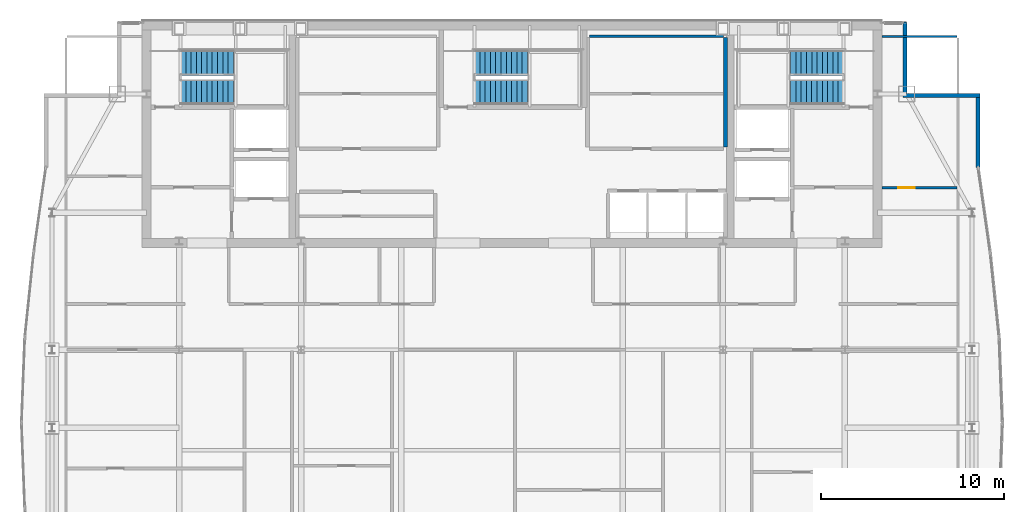
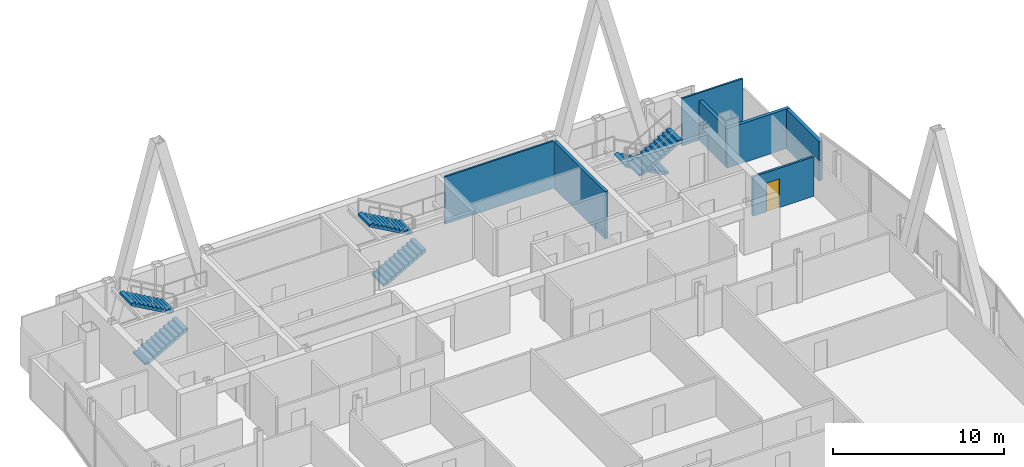
# One storey, part 27 of 29: 7 walls, 6 stair flights, 1 door, 1 opening, 3 elements without a shape of their own.
"""IFC4 building model written with IfcOpenShell, lengths in metres."""

from ifc_helpers import new_model, si_unit, direction, frame, frame_2d, origin, place, context, subcontext, project, spatial, polyline, rectangle, outline, extrude, material, layer, layer_set, type_object, element, fill, aggregate, save


model = new_model("IFC4")

# Units and contexts
model_context = context("Model", 3, precision=1e-05, world=origin(), true_north=direction((0.0, 1.0)))
body_context = subcontext(model_context, "Body", "Model", "MODEL_VIEW")
ifc_project = project(units=[si_unit("LENGTHUNIT", "METRE"), si_unit("AREAUNIT", "SQUARE_METRE"), si_unit("VOLUMEUNIT", "CUBIC_METRE"), si_unit("PLANEANGLEUNIT", "RADIAN"), si_unit("MASSUNIT", "GRAM", prefix="KILO")], contexts=[model_context])

# Site, building, storey
site_placement = place(None, origin())
site = spatial("IfcSite", under=ifc_project, at=site_placement, CompositionType="ELEMENT")
building_placement = place(site_placement, origin())
building = spatial("IfcBuilding", under=site, at=building_placement, Name="Khoronbel Lancet Exchange", CompositionType="ELEMENT")
storey_placement = place(building_placement, frame((0.0, 0.0, 302.199951171875)))
storey = spatial("IfcBuildingStorey", under=building, at=storey_placement, Name="L78", CompositionType="ELEMENT", Elevation=302.199951171875)

# Walls
ifc_material_1 = material(Name="Precast concrete C40/50", Category="concrete")
ifc_layer_1 = layer(ifc_material_1, 0.25, Name="Precast concrete C40/50")
ifc_layer_set_1 = layer_set([ifc_layer_1], Name="Precast concrete C40/50")
wall_type_1 = type_object("IfcWallType", Name="WL-EXT250", PredefinedType="SOLIDWALL", material=ifc_layer_set_1)
wall_1_placement = place(storey_placement, frame((57.9599609375, 53.6298828125, 0.0), z_axis=(0.0, 0.0, 1.0), x_axis=(0.0, -1.0, 0.0)))
element("IfcWall", 1, at=wall_1_placement, inside=storey, type_object=wall_type_1, Name="Level L78 notched-corner limestone pier 14", PredefinedType="SOLIDWALL", context=body_context, shape_type="SweptSolid", body=[
    extrude(rectangle(XDim=3.909912109375, YDim=0.219970703125, at=frame_2d((1.955078125, 0.0))), origin(), (0.0, 0.0, 1.0), 2.820068359375),
])
wall_2_placement = place(storey_placement, frame((57.85009765625, 49.610107421875, 0.0), z_axis=(0.0, 0.0, 1.0), x_axis=(1.0, 0.0, 0.0)))
element("IfcWall", 2, at=wall_2_placement, inside=storey, type_object=wall_type_1, Name="Level L78 notched-corner limestone pier 15", PredefinedType="SOLIDWALL", context=body_context, shape_type="SweptSolid", body=[
    extrude(rectangle(XDim=4.219970703125, YDim=0.219970703125, at=frame_2d((2.10986328125, 0.0))), origin(), (0.0, 0.0, 1.0), 2.820068359375),
])
wall_3_placement = place(storey_placement, frame((61.9599609375, 49.5, 0.0), z_axis=(0.0, 0.0, 1.0), x_axis=(0.0, -1.0, 0.0)))
element("IfcWall", 3, at=wall_3_placement, inside=storey, type_object=wall_type_1, Name="Level L78 notched-corner limestone pier 16", PredefinedType="SOLIDWALL", context=body_context, shape_type="SweptSolid", body=[
    extrude(rectangle(XDim=3.826416015625, YDim=0.219970703125, at=frame_2d((1.9130859375, 0.0))), origin(), (0.0, 0.0, 1.0), 2.820068359375),
])

# Wall, opening, door
ifc_material_2 = material(Name="Acoustic Metal-Stud & Mineral-Wool Gypsum Partition 120 mm", Category="gypsum")
ifc_layer_2 = layer(ifc_material_2, 0.1201171875, Name="Acoustic Metal-Stud & Mineral-Wool Gypsum Partition 120 mm")
ifc_layer_set_2 = layer_set([ifc_layer_2], Name="Acoustic Metal-Stud & Mineral-Wool Gypsum Partition 120 mm")
wall_type_2 = type_object("IfcWallType", Name="WL-PRT120", PredefinedType="PARTITIONING", material=ifc_layer_set_2)
wall_4_placement = place(storey_placement, frame((56.699951171875, 44.56005859375, 0.0), z_axis=(0.0, 0.0, 1.0), x_axis=(1.0, 0.0, 0.0)))
wall_4 = element("IfcWall", 4, at=wall_4_placement, inside=storey, type_object=wall_type_2, Name="Level L78 interior partition PW-NE-H", PredefinedType="PARTITIONING", context=body_context, shape_type="SweptSolid", body=[
    extrude(rectangle(XDim=4.10498046875, YDim=0.14990234375, at=frame_2d((2.052490234375, 0.0))), origin(), (0.0, 0.0, 1.0), 2.820068359375),
])
opening_placement = place(wall_4_placement, frame((0.89990234375, 0.0, 0.0)))
opening = element("IfcOpeningElement", 5, at=opening_placement, cuts=wall_4, Name="Opening D5", PredefinedType="OPENING", context=body_context, shape_type="SweptSolid", body=[
    extrude(rectangle(XDim=0.89990234375, YDim=2.050048828125, at=frame_2d((0.449951171875, 1.02490234375))), frame((0.0, 0.0849609375, 0.0), z_axis=(0.0, -1.0, 0.0), x_axis=(1.0, 0.0, 0.0)), (0.0, 0.0, 1.0), 0.169921875),
])
ifc_material_3 = material(Name="Acoustic Timber Pantry & Support Door", Category="wood")
door_type = type_object("IfcDoorType", Name="DR-D5", OperationType="NOTDEFINED", PredefinedType="DOOR", material=ifc_material_3)
door_placement = place(opening_placement, origin())
door = element("IfcDoor", 6, at=door_placement, inside=storey, type_object=door_type, Name="NE north room door L78-1", OperationType="SINGLE_SWING_RIGHT", OverallHeight=2.050048828125, OverallWidth=0.89990234375, PredefinedType="DOOR", context=body_context, shape_type="SweptSolid", body=[
    extrude(rectangle(XDim=0.89990234375, YDim=2.050048828125, at=frame_2d((0.449951171875, 1.02490234375))), frame((0.0, 0.02490234375, 0.0), z_axis=(0.0, -1.0, 0.0), x_axis=(1.0, 0.0, 0.0)), (0.0, 0.0, 1.0), 0.050048828125),
])
fill(opening, door)

# Walls
wall_5_placement = place(storey_placement, frame((56.699951171875, 52.840087890625, 0.0), z_axis=(0.0, 0.0, 1.0), x_axis=(1.0, 0.0, 0.0)))
element("IfcWall", 7, at=wall_5_placement, inside=storey, type_object=wall_type_2, Name="Level L78 interior partition PW-LIN-NE", PredefinedType="PARTITIONING", context=body_context, shape_type="SweptSolid", body=[
    extrude(rectangle(XDim=4.10498046875, YDim=0.1201171875, at=frame_2d((2.052490234375, 0.0))), origin(), (0.0, 0.0, 1.0), 3.380126953125),
])
ifc_material_4 = material(Name="Fire-Rated Metal-Stud & Mineral-Wool Gypsum Partition 120 mm", Category="gypsum")
ifc_layer_3 = layer(ifc_material_4, 0.1201171875, Name="Fire-Rated Metal-Stud & Mineral-Wool Gypsum Partition 120 mm")
ifc_layer_set_3 = layer_set([ifc_layer_3], Name="Fire-Rated Metal-Stud & Mineral-Wool Gypsum Partition 120 mm")
wall_type_3 = type_object("IfcWallType", Name="WL-PRT120F", PredefinedType="PARTITIONING", material=ifc_layer_set_3)
wall_6_placement = place(storey_placement, frame((40.68505859375, 52.860107421875, 0.0), z_axis=(0.0, 0.0, 1.0), x_axis=(1.0, 0.0, 0.0)))
element("IfcWall", 8, at=wall_6_placement, inside=storey, type_object=wall_type_3, Name="Level L78 interior partition CW-PH-RN", PredefinedType="PARTITIONING", context=body_context, shape_type="SweptSolid", body=[
    extrude(rectangle(XDim=7.349853515625, YDim=0.1201171875, at=frame_2d((3.6748046875, 0.0))), origin(), (0.0, 0.0, 1.0), 3.380126953125),
])
ifc_material_5 = material(Name="Autoclaved Aerated Concrete Blockwork 200 mm", Category="masonry")
ifc_layer_4 = layer(ifc_material_5, 0.199951171875, Name="Autoclaved Aerated Concrete Blockwork 200 mm")
ifc_layer_set_4 = layer_set([ifc_layer_4], Name="Autoclaved Aerated Concrete Blockwork 200 mm")
wall_type_4 = type_object("IfcWallType", Name="WL-PRT200", PredefinedType="PARTITIONING", material=ifc_layer_set_4)
wall_7_placement = place(storey_placement, frame((48.139892578125, 46.804931640625, 0.0), z_axis=(0.0, 0.0, 1.0), x_axis=(0.0, 1.0, 0.0)))
element("IfcWall", 9, at=wall_7_placement, inside=storey, type_object=wall_type_4, Name="Level L78 interior partition CW-PH-RE", PredefinedType="PARTITIONING", context=body_context, shape_type="SweptSolid", body=[
    extrude(rectangle(XDim=5.989990234375, YDim=0.199951171875, at=frame_2d((2.9951171875, 0.0))), origin(), (0.0, 0.0, 1.0), 3.380126953125),
])

# Stair, stair flights
ifc_material_6 = material(Name="Concrete C40/50", Category="concrete")
stair_type = type_object("IfcStairType", Name="STR-CORE150", PredefinedType="HALF_TURN_STAIR", material=ifc_material_6)
stair_1_placement = place(storey_placement, origin())
stair_1 = element("IfcStair", 10, at=stair_1_placement, inside=storey, type_object=stair_type, Name="L78 Protected Exit Stair ST1", PredefinedType="HALF_TURN_STAIR")
stair_flight_type = type_object("IfcStairFlightType", Name="STF-150", PredefinedType="STRAIGHT", material=ifc_material_6)
stair_flight_1_placement = place(storey_placement, frame((18.300048828125, 49.81005859375, 0.0), z_axis=(0.0, 0.0, 1.0), x_axis=(1.0, 0.0, 0.0)))
stair_flight_1 = element("IfcStairFlight", 11, at=stair_flight_1_placement, type_object=stair_flight_type, Name="ST1 flight 1", NumberOfRisers=11, NumberOfTreads=10, PredefinedType="STRAIGHT", RiserHeight=0.163636364, TreadLength=0.29, context=body_context, shape_type="SweptSolid", body=[
    extrude(outline(polyline([(0.0, 0.0), (0.0, 0.16357421875), (0.2900390625, 0.16357421875), (0.2900390625, 0.327392578125), (0.580078125, 0.327392578125), (0.580078125, 0.490966796875), (0.8701171875, 0.490966796875), (0.8701171875, 0.654541015625), (1.159912109375, 0.654541015625), (1.159912109375, 0.818115234375), (1.449951171875, 0.818115234375), (1.449951171875, 0.98193359375), (1.739990234375, 0.98193359375), (1.739990234375, 1.1455078125), (2.030029296875, 1.1455078125), (2.030029296875, 1.30908203125), (2.320068359375, 1.30908203125), (2.320068359375, 1.47265625), (2.610107421875, 1.47265625), (2.610107421875, 1.636474609375), (2.89990234375, 1.636474609375), (2.89990234375, 1.800048828125), (2.89990234375, 1.46435546875), (0.304931640625, 0.0), (0.0, 0.0)])), frame((0.0, 0.68994140625, 0.0), z_axis=(0.0, -1.0, 0.0), x_axis=(1.0, 0.0, 0.0)), (0.0, 0.0, 1.0), 1.3798828125),
])
stair_flight_2_placement = place(storey_placement, frame((21.199951171875, 51.409912109375, 1.800048828125), z_axis=(0.0, 0.0, 1.0), x_axis=(-1.0, 0.0, 0.0)))
stair_flight_2 = element("IfcStairFlight", 12, at=stair_flight_2_placement, type_object=stair_flight_type, Name="ST1 flight 2", NumberOfRisers=11, NumberOfTreads=10, PredefinedType="STRAIGHT", RiserHeight=0.163636364, TreadLength=0.29, context=body_context, shape_type="SweptSolid", body=[
    extrude(outline(polyline([(0.0, 0.0), (0.0, 0.16357421875), (0.2900390625, 0.16357421875), (0.2900390625, 0.327392578125), (0.580078125, 0.327392578125), (0.580078125, 0.490966796875), (0.8701171875, 0.490966796875), (0.8701171875, 0.654541015625), (1.159912109375, 0.654541015625), (1.159912109375, 0.818115234375), (1.449951171875, 0.818115234375), (1.449951171875, 0.98193359375), (1.739990234375, 0.98193359375), (1.739990234375, 1.1455078125), (2.030029296875, 1.1455078125), (2.030029296875, 1.30908203125), (2.320068359375, 1.30908203125), (2.320068359375, 1.47265625), (2.610107421875, 1.47265625), (2.610107421875, 1.636474609375), (2.89990234375, 1.636474609375), (2.89990234375, 1.800048828125), (2.89990234375, 1.46435546875), (0.304931640625, 0.0), (0.0, 0.0)])), frame((0.0, 0.68994140625, 0.0), z_axis=(0.0, -1.0, 0.0), x_axis=(1.0, 0.0, 0.0)), (0.0, 0.0, 1.0), 1.3798828125),
])
aggregate(stair_1, [stair_flight_1, stair_flight_2])

stair_2_placement = place(storey_placement, origin())
stair_2 = element("IfcStair", 13, at=stair_2_placement, inside=storey, type_object=stair_type, Name="L78 Protected Exit Stair ST2", PredefinedType="HALF_TURN_STAIR")
stair_flight_3_placement = place(storey_placement, frame((54.60009765625, 51.409912109375, 0.0), z_axis=(0.0, 0.0, 1.0), x_axis=(-1.0, 0.0, 0.0)))
stair_flight_3 = element("IfcStairFlight", 14, at=stair_flight_3_placement, type_object=stair_flight_type, Name="ST2 flight 1", NumberOfRisers=11, NumberOfTreads=10, PredefinedType="STRAIGHT", RiserHeight=0.163636364, TreadLength=0.29, context=body_context, shape_type="SweptSolid", body=[
    extrude(outline(polyline([(0.0, 0.0), (0.0, 0.16357421875), (0.2900390625, 0.16357421875), (0.2900390625, 0.327392578125), (0.580078125, 0.327392578125), (0.580078125, 0.490966796875), (0.8701171875, 0.490966796875), (0.8701171875, 0.654541015625), (1.159912109375, 0.654541015625), (1.159912109375, 0.818115234375), (1.449951171875, 0.818115234375), (1.449951171875, 0.98193359375), (1.739990234375, 0.98193359375), (1.739990234375, 1.1455078125), (2.030029296875, 1.1455078125), (2.030029296875, 1.30908203125), (2.320068359375, 1.30908203125), (2.320068359375, 1.47265625), (2.610107421875, 1.47265625), (2.610107421875, 1.636474609375), (2.89990234375, 1.636474609375), (2.89990234375, 1.800048828125), (2.89990234375, 1.46435546875), (0.304931640625, 0.0), (0.0, 0.0)])), frame((0.0, 0.68994140625, 0.0), z_axis=(0.0, -1.0, 0.0), x_axis=(1.0, 0.0, 0.0)), (0.0, 0.0, 1.0), 1.3798828125),
])
stair_flight_4_placement = place(storey_placement, frame((51.699951171875, 49.81005859375, 1.800048828125), z_axis=(0.0, 0.0, 1.0), x_axis=(1.0, 0.0, 0.0)))
stair_flight_4 = element("IfcStairFlight", 15, at=stair_flight_4_placement, type_object=stair_flight_type, Name="ST2 flight 2", NumberOfRisers=11, NumberOfTreads=10, PredefinedType="STRAIGHT", RiserHeight=0.163636364, TreadLength=0.29, context=body_context, shape_type="SweptSolid", body=[
    extrude(outline(polyline([(0.0, 0.0), (0.0, 0.16357421875), (0.2900390625, 0.16357421875), (0.2900390625, 0.327392578125), (0.580078125, 0.327392578125), (0.580078125, 0.490966796875), (0.8701171875, 0.490966796875), (0.8701171875, 0.654541015625), (1.159912109375, 0.654541015625), (1.159912109375, 0.818115234375), (1.449951171875, 0.818115234375), (1.449951171875, 0.98193359375), (1.739990234375, 0.98193359375), (1.739990234375, 1.1455078125), (2.030029296875, 1.1455078125), (2.030029296875, 1.30908203125), (2.320068359375, 1.30908203125), (2.320068359375, 1.47265625), (2.610107421875, 1.47265625), (2.610107421875, 1.636474609375), (2.89990234375, 1.636474609375), (2.89990234375, 1.800048828125), (2.89990234375, 1.46435546875), (0.304931640625, 0.0), (0.0, 0.0)])), frame((0.0, 0.68994140625, 0.0), z_axis=(0.0, -1.0, 0.0), x_axis=(1.0, 0.0, 0.0)), (0.0, 0.0, 1.0), 1.3798828125),
])
aggregate(stair_2, [stair_flight_3, stair_flight_4])

stair_3_placement = place(storey_placement, origin())
stair_3 = element("IfcStair", 16, at=stair_3_placement, inside=storey, type_object=stair_type, Name="L78 Protected Exit Stair ST3", PredefinedType="HALF_TURN_STAIR")
stair_flight_5_placement = place(storey_placement, frame((34.39990234375, 49.81005859375, 0.0), z_axis=(0.0, 0.0, 1.0), x_axis=(1.0, 0.0, 0.0)))
stair_flight_5 = element("IfcStairFlight", 17, at=stair_flight_5_placement, type_object=stair_flight_type, Name="ST3 flight 1", NumberOfRisers=11, NumberOfTreads=10, PredefinedType="STRAIGHT", RiserHeight=0.163636364, TreadLength=0.29, context=body_context, shape_type="SweptSolid", body=[
    extrude(outline(polyline([(0.0, 0.0), (0.0, 0.16357421875), (0.2900390625, 0.16357421875), (0.2900390625, 0.327392578125), (0.580078125, 0.327392578125), (0.580078125, 0.490966796875), (0.8701171875, 0.490966796875), (0.8701171875, 0.654541015625), (1.159912109375, 0.654541015625), (1.159912109375, 0.818115234375), (1.449951171875, 0.818115234375), (1.449951171875, 0.98193359375), (1.739990234375, 0.98193359375), (1.739990234375, 1.1455078125), (2.030029296875, 1.1455078125), (2.030029296875, 1.30908203125), (2.320068359375, 1.30908203125), (2.320068359375, 1.47265625), (2.610107421875, 1.47265625), (2.610107421875, 1.636474609375), (2.89990234375, 1.636474609375), (2.89990234375, 1.800048828125), (2.89990234375, 1.46435546875), (0.304931640625, 0.0), (0.0, 0.0)])), frame((0.0, 0.68994140625, 0.0), z_axis=(0.0, -1.0, 0.0), x_axis=(1.0, 0.0, 0.0)), (0.0, 0.0, 1.0), 1.3798828125),
])
stair_flight_6_placement = place(storey_placement, frame((37.300048828125, 51.409912109375, 1.800048828125), z_axis=(0.0, 0.0, 1.0), x_axis=(-1.0, 0.0, 0.0)))
stair_flight_6 = element("IfcStairFlight", 18, at=stair_flight_6_placement, type_object=stair_flight_type, Name="ST3 flight 2", NumberOfRisers=11, NumberOfTreads=10, PredefinedType="STRAIGHT", RiserHeight=0.163636364, TreadLength=0.29, context=body_context, shape_type="SweptSolid", body=[
    extrude(outline(polyline([(0.0, 0.0), (0.0, 0.16357421875), (0.2900390625, 0.16357421875), (0.2900390625, 0.327392578125), (0.580078125, 0.327392578125), (0.580078125, 0.490966796875), (0.8701171875, 0.490966796875), (0.8701171875, 0.654541015625), (1.159912109375, 0.654541015625), (1.159912109375, 0.818115234375), (1.449951171875, 0.818115234375), (1.449951171875, 0.98193359375), (1.739990234375, 0.98193359375), (1.739990234375, 1.1455078125), (2.030029296875, 1.1455078125), (2.030029296875, 1.30908203125), (2.320068359375, 1.30908203125), (2.320068359375, 1.47265625), (2.610107421875, 1.47265625), (2.610107421875, 1.636474609375), (2.89990234375, 1.636474609375), (2.89990234375, 1.800048828125), (2.89990234375, 1.46435546875), (0.304931640625, 0.0), (0.0, 0.0)])), frame((0.0, 0.68994140625, 0.0), z_axis=(0.0, -1.0, 0.0), x_axis=(1.0, 0.0, 0.0)), (0.0, 0.0, 1.0), 1.3798828125),
])
aggregate(stair_3, [stair_flight_5, stair_flight_6])

save(model, "model.ifc")
